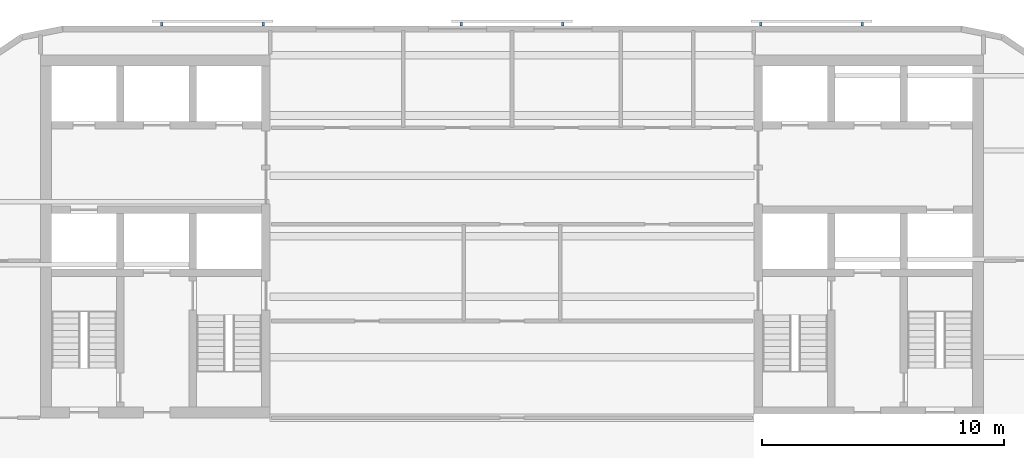
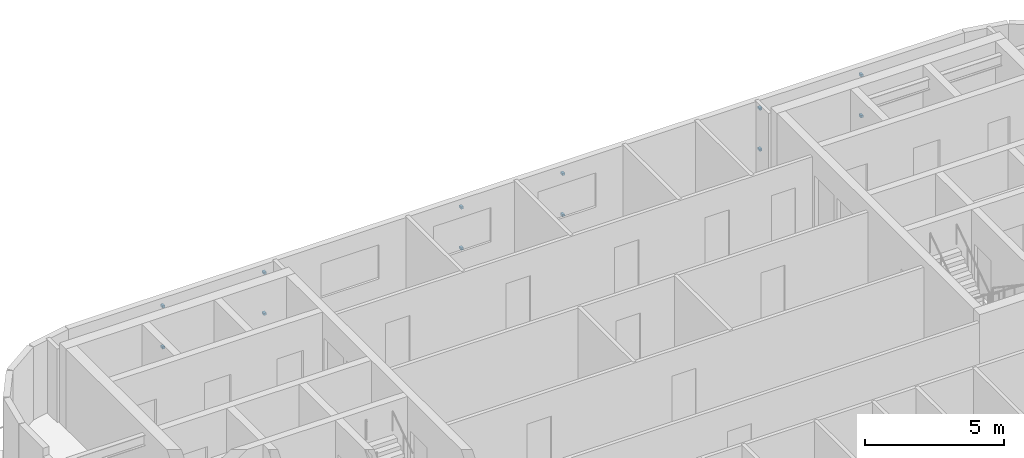
# One storey, part 8 of 11: 12 discrete accessories.
"""IFC4 building model written with IfcOpenShell, lengths in metres."""

from ifc_helpers import new_model, si_unit, direction, frame, origin, origin_2d, place, context, subcontext, project, spatial, rectangle, extrude, material, type_object, element, save


model = new_model("IFC4")

# Units and contexts
model_context = context("Model", 3, precision=1e-05, world=origin(), true_north=direction((0.0, 1.0)))
body_context = subcontext(model_context, "Body", "Model", "MODEL_VIEW")
ifc_project = project(units=[si_unit("LENGTHUNIT", "METRE"), si_unit("AREAUNIT", "SQUARE_METRE"), si_unit("VOLUMEUNIT", "CUBIC_METRE"), si_unit("PLANEANGLEUNIT", "RADIAN"), si_unit("MASSUNIT", "GRAM", prefix="KILO")], contexts=[model_context])

# Site, building, storey
site_placement = place(None, origin())
site = spatial("IfcSite", under=ifc_project, at=site_placement, CompositionType="ELEMENT")
building_placement = place(site_placement, origin())
building = spatial("IfcBuilding", under=site, at=building_placement, Name="Torana Hotel and Residences", CompositionType="ELEMENT")
storey_placement = place(building_placement, frame((0.0, 0.0, 305.10009765625)))
storey = spatial("IfcBuildingStorey", under=building, at=storey_placement, Name="L81", CompositionType="ELEMENT", Elevation=305.10009765625)

# Discrete accessories
ifc_material = material(Name="Steel S355", Category="steel")
discrete_accessory_type = type_object("IfcDiscreteAccessoryType", Name="SCREEN BRACKET 100", PredefinedType="BRACKET", material=ifc_material)
for number, where, z_axis, x_axis, name in (
    (1, (14.483642578125, 1.27490234375, 0.749755859375), (0.0, 0.0, 1.0), (-1.0, 0.0, 0.0), "Screen bracket L81"),
    (2, (14.483642578125, 1.27490234375, 2.5498046875), (0.0, 0.0, 1.0), (-1.0, 0.0, 0.0), "Screen bracket L81"),
    (3, (10.28369140625, 1.27490234375, 0.749755859375), (0.0, 0.0, 1.0), (-1.0, 0.0, 0.0), "Screen bracket L81"),
    (4, (10.28369140625, 1.27490234375, 2.5498046875), (0.0, 0.0, 1.0), (-1.0, 0.0, 0.0), "Screen bracket L81"),
    (5, (2.10009765625, 1.27490234375, 0.749755859375), (0.0, 0.0, 1.0), (-1.0, 0.0, 0.0), "Screen bracket L81"),
    (6, (2.10009765625, 1.27490234375, 2.5498046875), (0.0, 0.0, 1.0), (-1.0, 0.0, 0.0), "Screen bracket L81"),
    (7, (-2.10009765625, 1.27490234375, 0.749755859375), (0.0, 0.0, 1.0), (-1.0, 0.0, 0.0), "Screen bracket L81"),
    (8, (-2.10009765625, 1.27490234375, 2.5498046875), (0.0, 0.0, 1.0), (-1.0, 0.0, 0.0), "Screen bracket L81"),
    (9, (-10.28369140625, 1.27490234375, 0.749755859375), (0.0, 0.0, 1.0), (-1.0, 0.0, 0.0), "Screen bracket L81"),
    (10, (-10.28369140625, 1.27490234375, 2.5498046875), (0.0, 0.0, 1.0), (-1.0, 0.0, 0.0), "Screen bracket L81"),
    (11, (-14.483642578125, 1.27490234375, 0.749755859375), (0.0, 0.0, 1.0), (-1.0, 0.0, 0.0), "Screen bracket L81"),
    (12, (-14.483642578125, 1.27490234375, 2.5498046875), (0.0, 0.0, 1.0), (-1.0, 0.0, 0.0), "Screen bracket L81"),
):
    element("IfcDiscreteAccessory", number, at=place(storey_placement, frame(where, z_axis=z_axis, x_axis=x_axis)), inside=storey, type_object=discrete_accessory_type, Name=name, PredefinedType="BRACKET", context=body_context, shape_type="SweptSolid", body=[
        extrude(rectangle(XDim=0.10009765625, YDim=0.14990234375, at=origin_2d()), origin(), (0.0, 0.0, 1.0), 0.10009765625),
    ])

save(model, "model.ifc")
